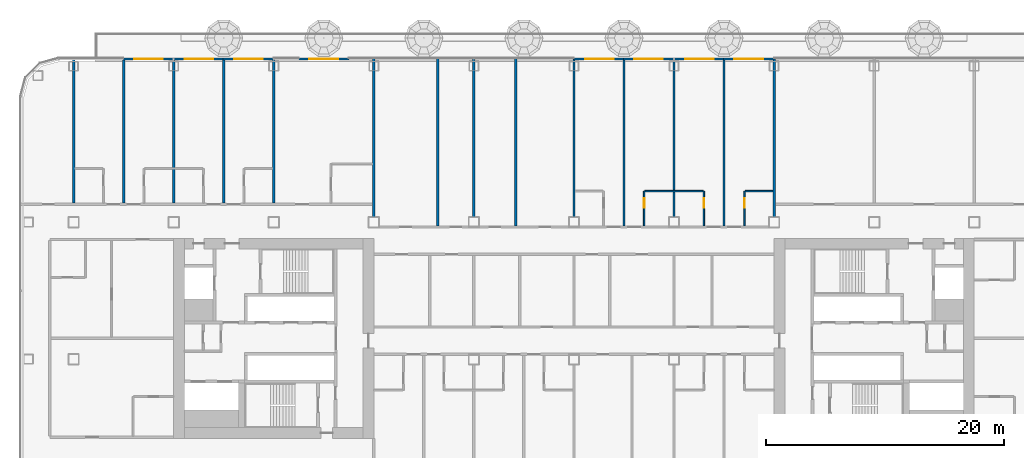
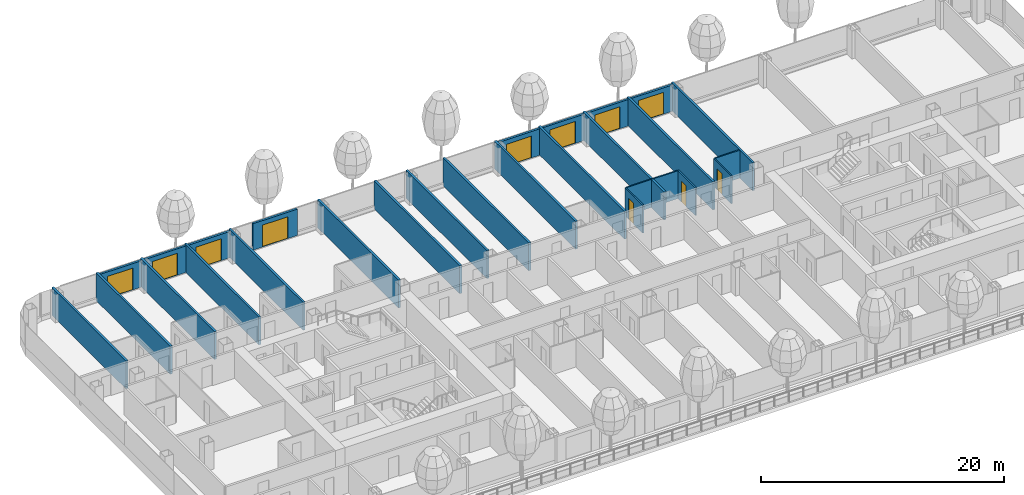
# One storey, part 17 of 34: 27 walls, 11 doors, 11 openings, 1 element without a shape of its own.
"""IFC4 building model written with IfcOpenShell, lengths in metres."""

import ifcopenshell
import ifcopenshell.guid

model = None  # the IFC model being written
_history = None  # IfcOwnerHistory: only IFC2X3 demands one
_inside = {}  # id of a spatial element -> (the spatial element, [elements in it])
_under = {}  # id of a project, library or spatial element -> (it, [spatial elements below it])
_declared = {}  # id of a project -> (the project, [libraries it declares])
_typed = {}  # id of a type object -> (the type object, [elements of that type])
_made_of = {}  # id of a material, layer set ... -> (it, [elements and type objects made of it])


def new_model(schema):
    """Start an empty IFC model of exactly this schema.

    Asked for "IFC4X3", IfcOpenShell would pick the latest addendum, in which some entities
    have other attributes; the version numbers below select the first issue.
    IFC2X3 requires an IfcOwnerHistory on every rooted entity: one is made here for all.
    """
    global model, _history
    if schema == "IFC4X3":
        model = ifcopenshell.file(schema_version=(4, 3, 0, 0))
    else:
        model = ifcopenshell.file(schema=schema)
    _inside.clear()
    _under.clear()
    _declared.clear()
    _typed.clear()
    _made_of.clear()
    _history = None
    if model.schema == "IFC2X3":
        org = make("IfcOrganization", Name="unknown")
        user = make(
            "IfcPersonAndOrganization",
            ThePerson=make("IfcPerson", FamilyName="unknown"),
            TheOrganization=org,
        )
        app = make(
            "IfcApplication",
            ApplicationDeveloper=org,
            Version="unknown",
            ApplicationFullName="unknown",
            ApplicationIdentifier="unknown",
        )
        _history = make(
            "IfcOwnerHistory",
            OwningUser=user,
            OwningApplication=app,
            ChangeAction="ADDED",
            CreationDate=0,
        )
    return model


def make(cls, **values):
    """One entity of the class cls with the attributes given. An attribute that is None is left unset."""
    return model.create_entity(
        cls, **{name: value for name, value in values.items() if value is not None}
    )


def rooted(cls, **values):
    """An entity with a GlobalId (a new one), such as an element, a storey or a relation."""
    return make(cls, GlobalId=ifcopenshell.guid.new(), OwnerHistory=_history, **values)


def si_unit(unit_type, name, prefix=None):
    """IfcSIUnit, for example si_unit("LENGTHUNIT", "METRE", prefix="MILLI")."""
    return make("IfcSIUnit", UnitType=unit_type, Prefix=prefix, Name=name)


def assignment(units):
    """IfcUnitAssignment: the units of a project."""
    return None if units is None else make("IfcUnitAssignment", Units=units)


def point(xyz):
    """IfcCartesianPoint."""
    return None if xyz is None else make("IfcCartesianPoint", Coordinates=xyz)


def direction(xyz):
    """IfcDirection."""
    return None if xyz is None else make("IfcDirection", DirectionRatios=xyz)


def frame(location, z_axis=None, x_axis=None):
    """IfcAxis2Placement3D, a coordinate frame: its origin and axes. An axis left out is left unset."""
    return make(
        "IfcAxis2Placement3D",
        Location=point(location),
        Axis=direction(z_axis),
        RefDirection=direction(x_axis),
    )


def frame_2d(location, x_axis=None):
    """IfcAxis2Placement2D, a coordinate frame in the plane: its origin and x axis."""
    return make(
        "IfcAxis2Placement2D", Location=point(location), RefDirection=direction(x_axis)
    )


def origin():
    """The frame at (0, 0, 0) with its axes left unset."""
    return frame((0.0, 0.0, 0.0))


def place(relative_to, where):
    """IfcLocalPlacement: puts the frame where relative to a parent placement (None: the world)."""
    return make(
        "IfcLocalPlacement", PlacementRelTo=relative_to, RelativePlacement=where
    )


def context(
    kind, dimensions, precision=None, world=None, true_north=None, identifier=None
):
    """IfcGeometricRepresentationContext, for example the 3D "Model" context."""
    return make(
        "IfcGeometricRepresentationContext",
        ContextIdentifier=identifier,
        ContextType=kind,
        CoordinateSpaceDimension=dimensions,
        Precision=precision,
        WorldCoordinateSystem=world,
        TrueNorth=true_north,
    )


def subcontext(parent, identifier, kind, view, scale=None):
    """IfcGeometricRepresentationSubContext, for example "Body" below "Model"."""
    return make(
        "IfcGeometricRepresentationSubContext",
        ContextIdentifier=identifier,
        ContextType=kind,
        ParentContext=parent,
        TargetScale=scale,
        TargetView=view,
    )


def project(units=None, contexts=None):
    """IfcProject with its units and contexts."""
    return rooted(
        "IfcProject",
        Name="project",
        RepresentationContexts=contexts,
        UnitsInContext=assignment(units),
    )


def spatial(cls, under=None, at=None, **own):
    """A site, building, storey or space (cls), placed at a placement, below another one or the project."""
    s = rooted(cls, ObjectPlacement=at, **own)
    if under is not None:
        _under.setdefault(under.id(), (under, []))[1].append(s)
    return s


def profile(cls, at=None, kind="AREA", **sizes):
    """A parametric profile (cls). Its sizes go by their IFC names, for example OverallWidth=200.0."""
    return make(cls, ProfileType=kind, Position=at, **sizes)


def rectangle(**sizes):
    """IfcRectangleProfileDef."""
    return profile("IfcRectangleProfileDef", **sizes)


def extrude(swept, where, along, depth):
    """IfcExtrudedAreaSolid: the profile swept, set in the frame where, extruded along a direction by depth."""
    return make(
        "IfcExtrudedAreaSolid",
        SweptArea=swept,
        Position=where,
        ExtrudedDirection=direction(along),
        Depth=depth,
    )


def shape(context_of_items, identifier, shape_type, items):
    """IfcShapeRepresentation: the items that make up one representation, for example the "Body"."""
    return make(
        "IfcShapeRepresentation",
        ContextOfItems=context_of_items,
        RepresentationIdentifier=identifier,
        RepresentationType=shape_type,
        Items=items,
    )


def material(Name=None, Category=None):
    """IfcMaterial."""
    return make("IfcMaterial", Name=Name, Category=Category)


def layer(
    of_material, thickness, ventilated=None, Name=None, Category=None, Priority=None
):
    """IfcMaterialLayer: one layer of a wall or slab, of a material (None: an air gap)."""
    return make(
        "IfcMaterialLayer",
        Material=of_material,
        LayerThickness=thickness,
        IsVentilated=ventilated,
        Name=Name,
        Category=Category,
        Priority=Priority,
    )


def layer_set(layers, Name=None):
    """IfcMaterialLayerSet."""
    return make("IfcMaterialLayerSet", MaterialLayers=layers, LayerSetName=Name)


def made_of(thing, what):
    """Note that an element or type object is made of a material, layer set ...; save() writes the relation."""
    if what is not None:
        _made_of.setdefault(what.id(), (what, []))[1].append(thing)
    return thing


def type_object(cls, material=None, **own):
    """A type object (cls), such as IfcWallType, which elements share."""
    return made_of(rooted(cls, **own), material)


def element(
    cls,
    number,
    at=None,
    inside=None,
    cuts=None,
    type_object=None,
    material=None,
    context=None,
    identifier="Body",
    shape_type=None,
    held_by="IfcProductDefinitionShape",
    body=None,
    shapes=None,
    **own,
):
    """One element of the class cls, such as IfcWall. Its Tag is "e" and its number.

    at: its placement. inside: the storey or other place that contains it. cuts: it is an
    opening in that element (IfcRelVoidsElement). A single representation is given by context,
    identifier, shape_type and body (its items); several are given by shapes. held_by: the class
    of the entity that holds the representations. save() writes the other relations.
    """
    e = rooted(cls, Tag="e%d" % number, ObjectPlacement=at, **own)
    if body is not None:
        shapes = [shape(context, identifier, shape_type, body)]
    if shapes is not None:
        e.Representation = make(held_by, Representations=shapes)
    if inside is not None:
        _inside.setdefault(inside.id(), (inside, []))[1].append(e)
    if cuts is not None:
        rooted(
            "IfcRelVoidsElement", RelatingBuildingElement=cuts, RelatedOpeningElement=e
        )
    if type_object is not None:
        _typed.setdefault(type_object.id(), (type_object, []))[1].append(e)
    return made_of(e, material)


def fill(opening, filler):
    """IfcRelFillsElement: the door or window that sits in an opening."""
    return rooted(
        "IfcRelFillsElement",
        RelatingOpeningElement=opening,
        RelatedBuildingElement=filler,
    )


def aggregate(whole, parts):
    """IfcRelAggregates: a whole, such as a stair, and the parts it consists of."""
    return rooted("IfcRelAggregates", RelatingObject=whole, RelatedObjects=parts)


def save(model, path):
    """Write the relations noted so far, then the file.

    IfcRelAggregates (storeys below a building ...), IfcRelContainedInSpatialStructure (elements
    in a storey), IfcRelDefinesByType, IfcRelAssociatesMaterial and IfcRelDeclares: one each for
    every whole, place, type object, material and project.
    """
    for whole, parts in _under.values():
        aggregate(whole, parts)
    for where, things in _inside.values():
        rooted(
            "IfcRelContainedInSpatialStructure",
            RelatedElements=things,
            RelatingStructure=where,
        )
    for kind, things in _typed.values():
        rooted("IfcRelDefinesByType", RelatedObjects=things, RelatingType=kind)
    for what, things in _made_of.values():
        rooted("IfcRelAssociatesMaterial", RelatedObjects=things, RelatingMaterial=what)
    for by, libraries in _declared.values():
        rooted("IfcRelDeclares", RelatingContext=by, RelatedDefinitions=libraries)
    model.write(path)


model = new_model("IFC4")

# Units and contexts
model_context = context("Model", 3, precision=1e-05, world=origin(), true_north=direction((0.0, 1.0)))
body_context = subcontext(model_context, "Body", "Model", "MODEL_VIEW")
ifc_project = project(units=[si_unit("LENGTHUNIT", "METRE"), si_unit("AREAUNIT", "SQUARE_METRE"), si_unit("VOLUMEUNIT", "CUBIC_METRE"), si_unit("PLANEANGLEUNIT", "RADIAN"), si_unit("MASSUNIT", "GRAM", prefix="KILO")], contexts=[model_context])

# Site, building, storey
site_placement = place(None, origin())
site = spatial("IfcSite", under=ifc_project, at=site_placement, CompositionType="ELEMENT")
building_placement = place(site_placement, origin())
building = spatial("IfcBuilding", under=site, at=building_placement, Name="Hakoniwa Tower and Hamabe Station Hall", CompositionType="ELEMENT")
storey_placement = place(building_placement, frame((0.0, 0.0, 94.60009765625)))
storey = spatial("IfcBuildingStorey", under=building, at=storey_placement, Name="L26", CompositionType="ELEMENT", Elevation=94.60009765625)

# Walls
ifc_material_1 = material(Name="Gypsum board partition", Category="gypsum")
ifc_layer_1 = layer(ifc_material_1, 0.125)
ifc_layer_set_1 = layer_set([ifc_layer_1], Name="Bathroom Partition 125")
wall_type_1 = type_object("IfcWallType", Name="Bathroom Partition 125", PredefinedType="PARTITIONING", material=ifc_layer_set_1)
wall_1_placement = place(storey_placement, frame((5.96240234375, 12.35009765625, 0.0), z_axis=(0.0, 0.0, 1.0), x_axis=(1.0, 0.0, 0.0)))
element("IfcWall", 1, at=wall_1_placement, inside=storey, type_object=wall_type_1, Name="GW-L26-025", PredefinedType="PARTITIONING", context=body_context, shape_type="SweptSolid", body=[
    extrude(rectangle(XDim=4.875, YDim=0.125, at=frame_2d((2.4375, 0.0))), origin(), (0.0, 0.0, 1.0), 2.7998046875),
])
wall_2_placement = place(storey_placement, frame((14.362548828125, 12.35009765625, 0.0), z_axis=(0.0, 0.0, 1.0), x_axis=(1.0, 0.0, 0.0)))
element("IfcWall", 2, at=wall_2_placement, inside=storey, type_object=wall_type_1, Name="GW-L26-026", PredefinedType="PARTITIONING", context=body_context, shape_type="SweptSolid", body=[
    extrude(rectangle(XDim=2.33740234375, YDim=0.125, at=frame_2d((1.168701171875, 0.0))), origin(), (0.0, 0.0, 1.0), 2.7998046875),
])

# Wall, opening, door
wall_3_placement = place(storey_placement, frame((5.89990234375, 9.449951171875, 0.0), z_axis=(0.0, 0.0, 1.0), x_axis=(0.0, 1.0, 0.0)))
wall_3 = element("IfcWall", 3, at=wall_3_placement, inside=storey, type_object=wall_type_1, Name="GW-L26-072", PredefinedType="PARTITIONING", context=body_context, shape_type="SweptSolid", body=[
    extrude(rectangle(XDim=2.900146484375, YDim=0.125, at=frame_2d((1.4501953125, 0.0))), origin(), (0.0, 0.0, 1.0), 2.7998046875),
])
opening_1_placement = place(wall_3_placement, frame((1.5, 0.0, 0.0)))
opening_1 = element("IfcOpeningElement", 4, at=opening_1_placement, cuts=wall_3, Name="Opening GD-G2B1-66", PredefinedType="OPENING", context=body_context, shape_type="SweptSolid", body=[
    extrude(rectangle(XDim=0.800048828125, YDim=2.10009765625, at=frame_2d((0.39990234375, 1.050048828125))), frame((0.0, 0.072509765625, 0.0), z_axis=(0.0, -1.0, 0.0), x_axis=(1.0, 0.0, 0.0)), (0.0, 0.0, 1.0), 0.14501953125),
])
ifc_material_2 = material(Name="Timber door leaf", Category="wood")
door_type_1 = type_object("IfcDoorType", Name="Bathroom Door 800", OperationType="SINGLE_SWING_LEFT", PredefinedType="DOOR", material=ifc_material_2)
door_1_placement = place(opening_1_placement, origin())
door_1 = element("IfcDoor", 5, at=door_1_placement, inside=storey, type_object=door_type_1, Name="Door GD-G2B1-66", OperationType="SINGLE_SWING_RIGHT", OverallHeight=2.10009765625, OverallWidth=0.800048828125, PredefinedType="DOOR", context=body_context, shape_type="SweptSolid", body=[
    extrude(rectangle(XDim=0.800048828125, YDim=2.10009765625, at=frame_2d((0.39990234375, 1.050048828125))), frame((0.0, 0.02490234375, 0.0), z_axis=(0.0, -1.0, 0.0), x_axis=(1.0, 0.0, 0.0)), (0.0, 0.0, 1.0), 0.050048828125),
])
fill(opening_1, door_1)

wall_4_placement = place(storey_placement, frame((10.89990234375, 9.449951171875, 0.0), z_axis=(0.0, 0.0, 1.0), x_axis=(0.0, 1.0, 0.0)))
wall_4 = element("IfcWall", 6, at=wall_4_placement, inside=storey, type_object=wall_type_1, Name="GW-L26-077", PredefinedType="PARTITIONING", context=body_context, shape_type="SweptSolid", body=[
    extrude(rectangle(XDim=2.900146484375, YDim=0.125, at=frame_2d((1.4501953125, 0.0))), origin(), (0.0, 0.0, 1.0), 2.7998046875),
])
opening_2_placement = place(wall_4_placement, frame((1.5, 0.0, 0.0)))
opening_2 = element("IfcOpeningElement", 7, at=opening_2_placement, cuts=wall_4, Name="Opening GD-G2B1-68", PredefinedType="OPENING", context=body_context, shape_type="SweptSolid", body=[
    extrude(rectangle(XDim=0.800048828125, YDim=2.10009765625, at=frame_2d((0.39990234375, 1.050048828125))), frame((0.0, 0.072509765625, 0.0), z_axis=(0.0, -1.0, 0.0), x_axis=(1.0, 0.0, 0.0)), (0.0, 0.0, 1.0), 0.14501953125),
])
door_2_placement = place(opening_2_placement, origin())
door_2 = element("IfcDoor", 8, at=door_2_placement, inside=storey, type_object=door_type_1, Name="Door GD-G2B1-68", OperationType="SINGLE_SWING_LEFT", OverallHeight=2.10009765625, OverallWidth=0.800048828125, PredefinedType="DOOR", context=body_context, shape_type="SweptSolid", body=[
    extrude(rectangle(XDim=0.800048828125, YDim=2.10009765625, at=frame_2d((0.39990234375, 1.050048828125))), frame((0.0, 0.02490234375, 0.0), z_axis=(0.0, -1.0, 0.0), x_axis=(1.0, 0.0, 0.0)), (0.0, 0.0, 1.0), 0.050048828125),
])
fill(opening_2, door_2)

wall_5_placement = place(storey_placement, frame((14.300048828125, 9.449951171875, 0.0), z_axis=(0.0, 0.0, 1.0), x_axis=(0.0, 1.0, 0.0)))
wall_5 = element("IfcWall", 9, at=wall_5_placement, inside=storey, type_object=wall_type_1, Name="GW-L26-082", PredefinedType="PARTITIONING", context=body_context, shape_type="SweptSolid", body=[
    extrude(rectangle(XDim=2.900146484375, YDim=0.125, at=frame_2d((1.4501953125, 0.0))), origin(), (0.0, 0.0, 1.0), 2.7998046875),
])
opening_3_placement = place(wall_5_placement, frame((1.5, 0.0, 0.0)))
opening_3 = element("IfcOpeningElement", 10, at=opening_3_placement, cuts=wall_5, Name="Opening GD-G2B1-70", PredefinedType="OPENING", context=body_context, shape_type="SweptSolid", body=[
    extrude(rectangle(XDim=0.800048828125, YDim=2.10009765625, at=frame_2d((0.39990234375, 1.050048828125))), frame((0.0, 0.072509765625, 0.0), z_axis=(0.0, -1.0, 0.0), x_axis=(1.0, 0.0, 0.0)), (0.0, 0.0, 1.0), 0.14501953125),
])
door_3_placement = place(opening_3_placement, origin())
door_3 = element("IfcDoor", 11, at=door_3_placement, inside=storey, type_object=door_type_1, Name="Door GD-G2B1-70", OperationType="SINGLE_SWING_RIGHT", OverallHeight=2.10009765625, OverallWidth=0.800048828125, PredefinedType="DOOR", context=body_context, shape_type="SweptSolid", body=[
    extrude(rectangle(XDim=0.800048828125, YDim=2.10009765625, at=frame_2d((0.39990234375, 1.050048828125))), frame((0.0, 0.02490234375, 0.0), z_axis=(0.0, -1.0, 0.0), x_axis=(1.0, 0.0, 0.0)), (0.0, 0.0, 1.0), 0.050048828125),
])
fill(opening_3, door_3)

# Curtain wall, walls, openings, doors
ifc_material_3 = material(Name="Dark low-e laminated glass", Category="glass")
ifc_layer_2 = layer(ifc_material_3, 0.199951171875)
ifc_layer_set_2 = layer_set([ifc_layer_2], Name="CW-1 UNITISED GUEST")
curtain_wall_type = type_object("IfcCurtainWallType", Name="CW-1 UNITISED GUEST", PredefinedType="NOTDEFINED", material=ifc_layer_set_2)
curtain_wall_placement = place(storey_placement, origin())
curtain_wall = element("IfcCurtainWall", 12, at=curtain_wall_placement, inside=storey, type_object=curtain_wall_type, Name="CW-1 curtain wall", PredefinedType="NOTDEFINED")
ifc_material_4 = material(Name="Dark glass-faced aluminium panel", Category="aluminium")
ifc_layer_3 = layer(ifc_material_4, 0.199951171875)
ifc_layer_set_3 = layer_set([ifc_layer_3], Name="DOOR BAY WALL")
wall_type_2 = type_object("IfcWallType", Name="DOOR BAY WALL", PredefinedType="NOTDEFINED", material=ifc_layer_set_3)
wall_6_placement = place(storey_placement, frame((16.780029296875, 23.449951171875, 0.0), z_axis=(0.0, 0.0, 1.0), x_axis=(-1.0, 0.0, 0.0)))
wall_6 = element("IfcWall", 13, at=wall_6_placement, type_object=wall_type_2, Name="Door bay wall", PredefinedType="NOTDEFINED", context=body_context, shape_type="SweptSolid", body=[
    extrude(rectangle(XDim=4.219970703125, YDim=0.199951171875, at=frame_2d((2.10986328125, 0.0))), origin(), (0.0, 0.0, 1.0), 2.64990234375),
])
opening_4_placement = place(wall_6_placement, frame((0.909912109375, 0.0, 0.0)))
opening_4 = element("IfcOpeningElement", 14, at=opening_4_placement, cuts=wall_6, Name="Opening BD-N03-4", PredefinedType="OPENING", context=body_context, shape_type="SweptSolid", body=[
    extrude(rectangle(XDim=2.39990234375, YDim=2.199951171875, at=frame_2d((1.199951171875, 1.10009765625))), frame((0.0, 0.10986328125, 0.0), z_axis=(0.0, -1.0, 0.0), x_axis=(1.0, 0.0, 0.0)), (0.0, 0.0, 1.0), 0.219970703125),
])
ifc_material_5 = material(Name="Dark low-e laminated glass", Category="glass")
door_type_2 = type_object("IfcDoorType", Name="BALCONY SLIDING DOOR 2400X2200", OperationType="SLIDING_TO_LEFT", PredefinedType="DOOR", material=ifc_material_5)
door_4_placement = place(opening_4_placement, frame((2.39990234375, 0.0, 0.0), z_axis=(0.0, 0.0, 1.0), x_axis=(-1.0, 0.0, 0.0)))
door_4 = element("IfcDoor", 15, at=door_4_placement, inside=storey, type_object=door_type_2, Name="Balcony sliding door", OperationType="SLIDING_TO_LEFT", OverallHeight=2.199951171875, OverallWidth=2.39990234375, PredefinedType="DOOR", context=body_context, shape_type="SweptSolid", body=[
    extrude(rectangle(XDim=2.39990234375, YDim=2.199951171875, at=frame_2d((1.199951171875, 1.10009765625))), frame((0.0, 0.02490234375, 0.0), z_axis=(0.0, -1.0, 0.0), x_axis=(1.0, 0.0, 0.0)), (0.0, 0.0, 1.0), 0.050048828125),
])
fill(opening_4, door_4)
wall_7_placement = place(storey_placement, frame((12.639892578125, 23.449951171875, 0.0), z_axis=(0.0, 0.0, 1.0), x_axis=(-1.0, 0.0, 0.0)))
wall_7 = element("IfcWall", 16, at=wall_7_placement, type_object=wall_type_2, Name="Door bay wall", PredefinedType="NOTDEFINED", context=body_context, shape_type="SweptSolid", body=[
    extrude(rectangle(XDim=4.219970703125, YDim=0.199951171875, at=frame_2d((2.10986328125, 0.0))), origin(), (0.0, 0.0, 1.0), 2.64990234375),
])
opening_5_placement = place(wall_7_placement, frame((0.909912109375, 0.0, 0.0)))
opening_5 = element("IfcOpeningElement", 17, at=opening_5_placement, cuts=wall_7, Name="Opening BD-N03-3", PredefinedType="OPENING", context=body_context, shape_type="SweptSolid", body=[
    extrude(rectangle(XDim=2.39990234375, YDim=2.199951171875, at=frame_2d((1.199951171875, 1.10009765625))), frame((0.0, 0.10986328125, 0.0), z_axis=(0.0, -1.0, 0.0), x_axis=(1.0, 0.0, 0.0)), (0.0, 0.0, 1.0), 0.219970703125),
])
door_5_placement = place(opening_5_placement, frame((2.39990234375, 0.0, 0.0), z_axis=(0.0, 0.0, 1.0), x_axis=(-1.0, 0.0, 0.0)))
door_5 = element("IfcDoor", 18, at=door_5_placement, inside=storey, type_object=door_type_2, Name="Balcony sliding door", OperationType="SLIDING_TO_LEFT", OverallHeight=2.199951171875, OverallWidth=2.39990234375, PredefinedType="DOOR", context=body_context, shape_type="SweptSolid", body=[
    extrude(rectangle(XDim=2.39990234375, YDim=2.199951171875, at=frame_2d((1.199951171875, 1.10009765625))), frame((0.0, 0.02490234375, 0.0), z_axis=(0.0, -1.0, 0.0), x_axis=(1.0, 0.0, 0.0)), (0.0, 0.0, 1.0), 0.050048828125),
])
fill(opening_5, door_5)
wall_8_placement = place(storey_placement, frame((8.3798828125, 23.449951171875, 0.0), z_axis=(0.0, 0.0, 1.0), x_axis=(-1.0, 0.0, 0.0)))
wall_8 = element("IfcWall", 19, at=wall_8_placement, type_object=wall_type_2, Name="Door bay wall", PredefinedType="NOTDEFINED", context=body_context, shape_type="SweptSolid", body=[
    extrude(rectangle(XDim=4.219970703125, YDim=0.199951171875, at=frame_2d((2.10986328125, 0.0))), origin(), (0.0, 0.0, 1.0), 2.64990234375),
])
opening_6_placement = place(wall_8_placement, frame((0.909912109375, 0.0, 0.0)))
opening_6 = element("IfcOpeningElement", 20, at=opening_6_placement, cuts=wall_8, Name="Opening BD-N03-2", PredefinedType="OPENING", context=body_context, shape_type="SweptSolid", body=[
    extrude(rectangle(XDim=2.39990234375, YDim=2.199951171875, at=frame_2d((1.199951171875, 1.10009765625))), frame((0.0, 0.10986328125, 0.0), z_axis=(0.0, -1.0, 0.0), x_axis=(1.0, 0.0, 0.0)), (0.0, 0.0, 1.0), 0.219970703125),
])
door_6_placement = place(opening_6_placement, frame((2.39990234375, 0.0, 0.0), z_axis=(0.0, 0.0, 1.0), x_axis=(-1.0, 0.0, 0.0)))
door_6 = element("IfcDoor", 21, at=door_6_placement, inside=storey, type_object=door_type_2, Name="Balcony sliding door", OperationType="SLIDING_TO_LEFT", OverallHeight=2.199951171875, OverallWidth=2.39990234375, PredefinedType="DOOR", context=body_context, shape_type="SweptSolid", body=[
    extrude(rectangle(XDim=2.39990234375, YDim=2.199951171875, at=frame_2d((1.199951171875, 1.10009765625))), frame((0.0, 0.02490234375, 0.0), z_axis=(0.0, -1.0, 0.0), x_axis=(1.0, 0.0, 0.0)), (0.0, 0.0, 1.0), 0.050048828125),
])
fill(opening_6, door_6)
wall_9_placement = place(storey_placement, frame((4.239990234375, 23.449951171875, 0.0), z_axis=(0.0, 0.0, 1.0), x_axis=(-1.0, 0.0, 0.0)))
wall_9 = element("IfcWall", 22, at=wall_9_placement, type_object=wall_type_2, Name="Door bay wall", PredefinedType="NOTDEFINED", context=body_context, shape_type="SweptSolid", body=[
    extrude(rectangle(XDim=4.219970703125, YDim=0.199951171875, at=frame_2d((2.10986328125, 0.0))), origin(), (0.0, 0.0, 1.0), 2.64990234375),
])
opening_7_placement = place(wall_9_placement, frame((0.909912109375, 0.0, 0.0)))
opening_7 = element("IfcOpeningElement", 23, at=opening_7_placement, cuts=wall_9, Name="Opening BD-N03-1", PredefinedType="OPENING", context=body_context, shape_type="SweptSolid", body=[
    extrude(rectangle(XDim=2.39990234375, YDim=2.199951171875, at=frame_2d((1.199951171875, 1.10009765625))), frame((0.0, 0.10986328125, 0.0), z_axis=(0.0, -1.0, 0.0), x_axis=(1.0, 0.0, 0.0)), (0.0, 0.0, 1.0), 0.219970703125),
])
door_7_placement = place(opening_7_placement, frame((2.39990234375, 0.0, 0.0), z_axis=(0.0, 0.0, 1.0), x_axis=(-1.0, 0.0, 0.0)))
door_7 = element("IfcDoor", 24, at=door_7_placement, inside=storey, type_object=door_type_2, Name="Balcony sliding door", OperationType="SLIDING_TO_LEFT", OverallHeight=2.199951171875, OverallWidth=2.39990234375, PredefinedType="DOOR", context=body_context, shape_type="SweptSolid", body=[
    extrude(rectangle(XDim=2.39990234375, YDim=2.199951171875, at=frame_2d((1.199951171875, 1.10009765625))), frame((0.0, 0.02490234375, 0.0), z_axis=(0.0, -1.0, 0.0), x_axis=(1.0, 0.0, 0.0)), (0.0, 0.0, 1.0), 0.050048828125),
])
fill(opening_7, door_7)
wall_10_placement = place(storey_placement, frame((-18.889892578125, 23.449951171875, 0.0), z_axis=(0.0, 0.0, 1.0), x_axis=(-1.0, 0.0, 0.0)))
wall_10 = element("IfcWall", 25, at=wall_10_placement, type_object=wall_type_2, Name="Door bay wall", PredefinedType="NOTDEFINED", context=body_context, shape_type="SweptSolid", body=[
    extrude(rectangle(XDim=4.22021484375, YDim=0.199951171875, at=frame_2d((2.110107421875, 0.0))), origin(), (0.0, 0.0, 1.0), 2.64990234375),
])
opening_8_placement = place(wall_10_placement, frame((0.909912109375, 0.0, 0.0)))
opening_8 = element("IfcOpeningElement", 26, at=opening_8_placement, cuts=wall_10, Name="Opening BD-N03-14", PredefinedType="OPENING", context=body_context, shape_type="SweptSolid", body=[
    extrude(rectangle(XDim=2.39990234375, YDim=2.199951171875, at=frame_2d((1.199951171875, 1.10009765625))), frame((0.0, 0.10986328125, 0.0), z_axis=(0.0, -1.0, 0.0), x_axis=(1.0, 0.0, 0.0)), (0.0, 0.0, 1.0), 0.219970703125),
])
door_8_placement = place(opening_8_placement, frame((2.39990234375, 0.0, 0.0), z_axis=(0.0, 0.0, 1.0), x_axis=(-1.0, 0.0, 0.0)))
door_8 = element("IfcDoor", 27, at=door_8_placement, inside=storey, type_object=door_type_2, Name="Balcony sliding door", OperationType="SLIDING_TO_LEFT", OverallHeight=2.199951171875, OverallWidth=2.39990234375, PredefinedType="DOOR", context=body_context, shape_type="SweptSolid", body=[
    extrude(rectangle(XDim=2.39990234375, YDim=2.199951171875, at=frame_2d((1.199951171875, 1.10009765625))), frame((0.0, 0.02490234375, 0.0), z_axis=(0.0, -1.0, 0.0), x_axis=(1.0, 0.0, 0.0)), (0.0, 0.0, 1.0), 0.050048828125),
])
fill(opening_8, door_8)
wall_11_placement = place(storey_placement, frame((-25.219970703125, 23.449951171875, 0.0), z_axis=(0.0, 0.0, 1.0), x_axis=(-1.0, 0.0, 0.0)))
wall_11 = element("IfcWall", 28, at=wall_11_placement, type_object=wall_type_2, Name="Door bay wall", PredefinedType="NOTDEFINED", context=body_context, shape_type="SweptSolid", body=[
    extrude(rectangle(XDim=4.219970703125, YDim=0.199951171875, at=frame_2d((2.10986328125, 0.0))), origin(), (0.0, 0.0, 1.0), 2.64990234375),
])
opening_9_placement = place(wall_11_placement, frame((0.909912109375, 0.0, 0.0)))
opening_9 = element("IfcOpeningElement", 29, at=opening_9_placement, cuts=wall_11, Name="Opening BD-N03-13", PredefinedType="OPENING", context=body_context, shape_type="SweptSolid", body=[
    extrude(rectangle(XDim=2.39990234375, YDim=2.199951171875, at=frame_2d((1.199951171875, 1.10009765625))), frame((0.0, 0.10986328125, 0.0), z_axis=(0.0, -1.0, 0.0), x_axis=(1.0, 0.0, 0.0)), (0.0, 0.0, 1.0), 0.219970703125),
])
door_9_placement = place(opening_9_placement, frame((2.39990234375, 0.0, 0.0), z_axis=(0.0, 0.0, 1.0), x_axis=(-1.0, 0.0, 0.0)))
door_9 = element("IfcDoor", 30, at=door_9_placement, inside=storey, type_object=door_type_2, Name="Balcony sliding door", OperationType="SLIDING_TO_LEFT", OverallHeight=2.199951171875, OverallWidth=2.39990234375, PredefinedType="DOOR", context=body_context, shape_type="SweptSolid", body=[
    extrude(rectangle(XDim=2.39990234375, YDim=2.199951171875, at=frame_2d((1.199951171875, 1.10009765625))), frame((0.0, 0.02490234375, 0.0), z_axis=(0.0, -1.0, 0.0), x_axis=(1.0, 0.0, 0.0)), (0.0, 0.0, 1.0), 0.050048828125),
])
fill(opening_9, door_9)
wall_12_placement = place(storey_placement, frame((-29.360107421875, 23.449951171875, 0.0), z_axis=(0.0, 0.0, 1.0), x_axis=(-1.0, 0.0, 0.0)))
wall_12 = element("IfcWall", 31, at=wall_12_placement, type_object=wall_type_2, Name="Door bay wall", PredefinedType="NOTDEFINED", context=body_context, shape_type="SweptSolid", body=[
    extrude(rectangle(XDim=4.219970703125, YDim=0.199951171875, at=frame_2d((2.10986328125, 0.0))), origin(), (0.0, 0.0, 1.0), 2.64990234375),
])
opening_10_placement = place(wall_12_placement, frame((0.909912109375, 0.0, 0.0)))
opening_10 = element("IfcOpeningElement", 32, at=opening_10_placement, cuts=wall_12, Name="Opening BD-N03-12", PredefinedType="OPENING", context=body_context, shape_type="SweptSolid", body=[
    extrude(rectangle(XDim=2.39990234375, YDim=2.199951171875, at=frame_2d((1.199951171875, 1.10009765625))), frame((0.0, 0.10986328125, 0.0), z_axis=(0.0, -1.0, 0.0), x_axis=(1.0, 0.0, 0.0)), (0.0, 0.0, 1.0), 0.219970703125),
])
door_10_placement = place(opening_10_placement, frame((2.39990234375, 0.0, 0.0), z_axis=(0.0, 0.0, 1.0), x_axis=(-1.0, 0.0, 0.0)))
door_10 = element("IfcDoor", 33, at=door_10_placement, inside=storey, type_object=door_type_2, Name="Balcony sliding door", OperationType="SLIDING_TO_LEFT", OverallHeight=2.199951171875, OverallWidth=2.39990234375, PredefinedType="DOOR", context=body_context, shape_type="SweptSolid", body=[
    extrude(rectangle(XDim=2.39990234375, YDim=2.199951171875, at=frame_2d((1.199951171875, 1.10009765625))), frame((0.0, 0.02490234375, 0.0), z_axis=(0.0, -1.0, 0.0), x_axis=(1.0, 0.0, 0.0)), (0.0, 0.0, 1.0), 0.050048828125),
])
fill(opening_10, door_10)
wall_13_placement = place(storey_placement, frame((-33.6201171875, 23.449951171875, 0.0), z_axis=(0.0, 0.0, 1.0), x_axis=(-1.0, 0.0, 0.0)))
wall_13 = element("IfcWall", 34, at=wall_13_placement, type_object=wall_type_2, Name="Door bay wall", PredefinedType="NOTDEFINED", context=body_context, shape_type="SweptSolid", body=[
    extrude(rectangle(XDim=4.219970703125, YDim=0.199951171875, at=frame_2d((2.10986328125, 0.0))), origin(), (0.0, 0.0, 1.0), 2.64990234375),
])
opening_11_placement = place(wall_13_placement, frame((0.909912109375, 0.0, 0.0)))
opening_11 = element("IfcOpeningElement", 35, at=opening_11_placement, cuts=wall_13, Name="Opening BD-N03-11", PredefinedType="OPENING", context=body_context, shape_type="SweptSolid", body=[
    extrude(rectangle(XDim=2.39990234375, YDim=2.199951171875, at=frame_2d((1.199951171875, 1.10009765625))), frame((0.0, 0.10986328125, 0.0), z_axis=(0.0, -1.0, 0.0), x_axis=(1.0, 0.0, 0.0)), (0.0, 0.0, 1.0), 0.219970703125),
])
door_11_placement = place(opening_11_placement, frame((2.39990234375, 0.0, 0.0), z_axis=(0.0, 0.0, 1.0), x_axis=(-1.0, 0.0, 0.0)))
door_11 = element("IfcDoor", 36, at=door_11_placement, inside=storey, type_object=door_type_2, Name="Balcony sliding door", OperationType="SLIDING_TO_LEFT", OverallHeight=2.199951171875, OverallWidth=2.39990234375, PredefinedType="DOOR", context=body_context, shape_type="SweptSolid", body=[
    extrude(rectangle(XDim=2.39990234375, YDim=2.199951171875, at=frame_2d((1.199951171875, 1.10009765625))), frame((0.0, 0.02490234375, 0.0), z_axis=(0.0, -1.0, 0.0), x_axis=(1.0, 0.0, 0.0)), (0.0, 0.0, 1.0), 0.050048828125),
])
fill(opening_11, door_11)
aggregate(curtain_wall, [wall_6, wall_7, wall_8, wall_9, wall_10, wall_11, wall_12, wall_13])

# Walls
ifc_material_6 = material(Name="Fire-rated gypsum board partition", Category="gypsum")
ifc_layer_4 = layer(ifc_material_6, 0.199951171875)
ifc_layer_set_4 = layer_set([ifc_layer_4], Name="Party Wall 200")
wall_type_3 = type_object("IfcWallType", Name="Party Wall 200", PredefinedType="PARTITIONING", material=ifc_layer_set_4)
for number, where, z_axis, x_axis, name in (
    (37, (-42.0, 11.35009765625, 0.0), (0.0, 0.0, 1.0), (0.0, 1.0, 0.0), "GW-L26-033"),
    (38, (-37.800048828125, 11.35009765625, 0.0), (0.0, 0.0, 1.0), (0.0, 1.0, 0.0), "GW-L26-037"),
    (39, (-33.60009765625, 11.35009765625, 0.0), (0.0, 0.0, 1.0), (0.0, 1.0, 0.0), "GW-L26-042"),
    (40, (-29.39990234375, 11.35009765625, 0.0), (0.0, 0.0, 1.0), (0.0, 1.0, 0.0), "GW-L26-044"),
    (41, (-25.199951171875, 11.35009765625, 0.0), (0.0, 0.0, 1.0), (0.0, 1.0, 0.0), "GW-L26-047"),
):
    element("IfcWall", number, at=place(storey_placement, frame(where, z_axis=z_axis, x_axis=x_axis)), inside=storey, type_object=wall_type_3, Name=name, PredefinedType="PARTITIONING", context=body_context, shape_type="SweptSolid", body=[
        extrude(rectangle(XDim=12.199951171875, YDim=0.199951171875, at=frame_2d((6.10009765625, 0.0))), origin(), (0.0, 0.0, 1.0), 2.7998046875),
    ])
wall_14_placement = place(storey_placement, frame((-16.800048828125, 10.18994140625, 0.0), z_axis=(0.0, 0.0, 1.0), x_axis=(0.0, 1.0, 0.0)))
element("IfcWall", 42, at=wall_14_placement, inside=storey, type_object=wall_type_3, Name="GW-L26-051", PredefinedType="PARTITIONING", context=body_context, shape_type="SweptSolid", body=[
    extrude(rectangle(XDim=13.360107421875, YDim=0.199951171875, at=frame_2d((6.68017578125, 0.0))), origin(), (0.0, 0.0, 1.0), 2.7998046875),
])
wall_15_placement = place(storey_placement, frame((-11.419921875, 9.449951171875, 0.0), z_axis=(0.0, 0.0, 1.0), x_axis=(0.0, 1.0, 0.0)))
element("IfcWall", 43, at=wall_15_placement, inside=storey, type_object=wall_type_3, Name="GW-L26-055", PredefinedType="PARTITIONING", context=body_context, shape_type="SweptSolid", body=[
    extrude(rectangle(XDim=14.10009765625, YDim=0.199951171875, at=frame_2d((7.050048828125, 0.0))), origin(), (0.0, 0.0, 1.0), 2.7998046875),
])
wall_16_placement = place(storey_placement, frame((-8.39990234375, 10.18994140625, 0.0), z_axis=(0.0, 0.0, 1.0), x_axis=(0.0, 1.0, 0.0)))
element("IfcWall", 44, at=wall_16_placement, inside=storey, type_object=wall_type_3, Name="GW-L26-059", PredefinedType="PARTITIONING", context=body_context, shape_type="SweptSolid", body=[
    extrude(rectangle(XDim=13.360107421875, YDim=0.199951171875, at=frame_2d((6.68017578125, 0.0))), origin(), (0.0, 0.0, 1.0), 2.7998046875),
])
wall_17_placement = place(storey_placement, frame((-4.8701171875, 9.449951171875, 0.0), z_axis=(0.0, 0.0, 1.0), x_axis=(0.0, 1.0, 0.0)))
element("IfcWall", 45, at=wall_17_placement, inside=storey, type_object=wall_type_3, Name="GW-L26-061", PredefinedType="PARTITIONING", context=body_context, shape_type="SweptSolid", body=[
    extrude(rectangle(XDim=14.10009765625, YDim=0.199951171875, at=frame_2d((7.050048828125, 0.0))), origin(), (0.0, 0.0, 1.0), 2.7998046875),
])
wall_18_placement = place(storey_placement, frame((0.0, 10.18994140625, 0.0), z_axis=(0.0, 0.0, 1.0), x_axis=(0.0, 1.0, 0.0)))
element("IfcWall", 46, at=wall_18_placement, inside=storey, type_object=wall_type_3, Name="GW-L26-067", PredefinedType="PARTITIONING", context=body_context, shape_type="SweptSolid", body=[
    extrude(rectangle(XDim=13.360107421875, YDim=0.199951171875, at=frame_2d((6.68017578125, 0.0))), origin(), (0.0, 0.0, 1.0), 2.7998046875),
])
wall_19_placement = place(storey_placement, frame((4.199951171875, 9.449951171875, 0.0), z_axis=(0.0, 0.0, 1.0), x_axis=(0.0, 1.0, 0.0)))
element("IfcWall", 47, at=wall_19_placement, inside=storey, type_object=wall_type_3, Name="GW-L26-070", PredefinedType="PARTITIONING", context=body_context, shape_type="SweptSolid", body=[
    extrude(rectangle(XDim=14.10009765625, YDim=0.199951171875, at=frame_2d((7.050048828125, 0.0))), origin(), (0.0, 0.0, 1.0), 2.7998046875),
])
wall_20_placement = place(storey_placement, frame((8.39990234375, 10.18994140625, 0.0), z_axis=(0.0, 0.0, 1.0), x_axis=(0.0, 1.0, 0.0)))
element("IfcWall", 48, at=wall_20_placement, inside=storey, type_object=wall_type_3, Name="GW-L26-075", PredefinedType="PARTITIONING", context=body_context, shape_type="SweptSolid", body=[
    extrude(rectangle(XDim=13.360107421875, YDim=0.199951171875, at=frame_2d((6.68017578125, 0.0))), origin(), (0.0, 0.0, 1.0), 2.7998046875),
])
wall_21_placement = place(storey_placement, frame((12.60009765625, 9.449951171875, 0.0), z_axis=(0.0, 0.0, 1.0), x_axis=(0.0, 1.0, 0.0)))
element("IfcWall", 49, at=wall_21_placement, inside=storey, type_object=wall_type_3, Name="GW-L26-080", PredefinedType="PARTITIONING", context=body_context, shape_type="SweptSolid", body=[
    extrude(rectangle(XDim=14.10009765625, YDim=0.199951171875, at=frame_2d((7.050048828125, 0.0))), origin(), (0.0, 0.0, 1.0), 2.7998046875),
])
wall_22_placement = place(storey_placement, frame((16.800048828125, 10.18994140625, 0.0), z_axis=(0.0, 0.0, 1.0), x_axis=(0.0, 1.0, 0.0)))
element("IfcWall", 50, at=wall_22_placement, inside=storey, type_object=wall_type_3, Name="GW-L26-084", PredefinedType="PARTITIONING", context=body_context, shape_type="SweptSolid", body=[
    extrude(rectangle(XDim=13.360107421875, YDim=0.199951171875, at=frame_2d((6.68017578125, 0.0))), origin(), (0.0, 0.0, 1.0), 2.7998046875),
])

save(model, "model.ifc")
